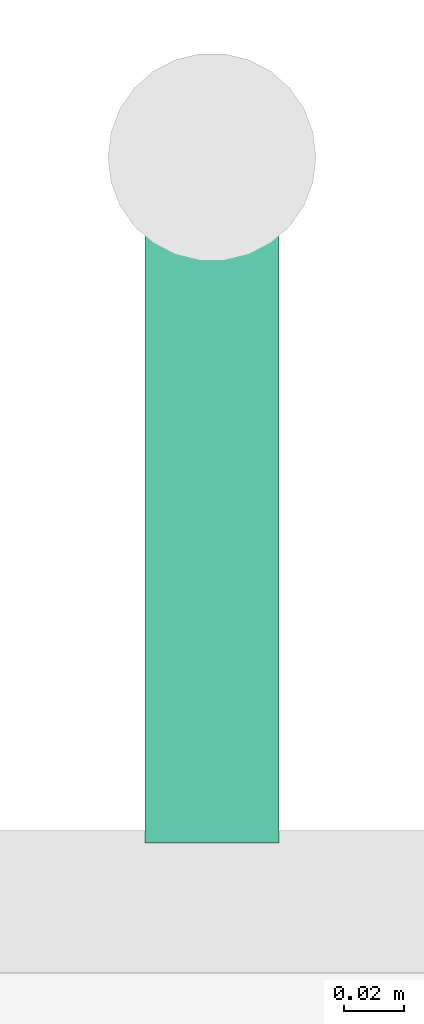
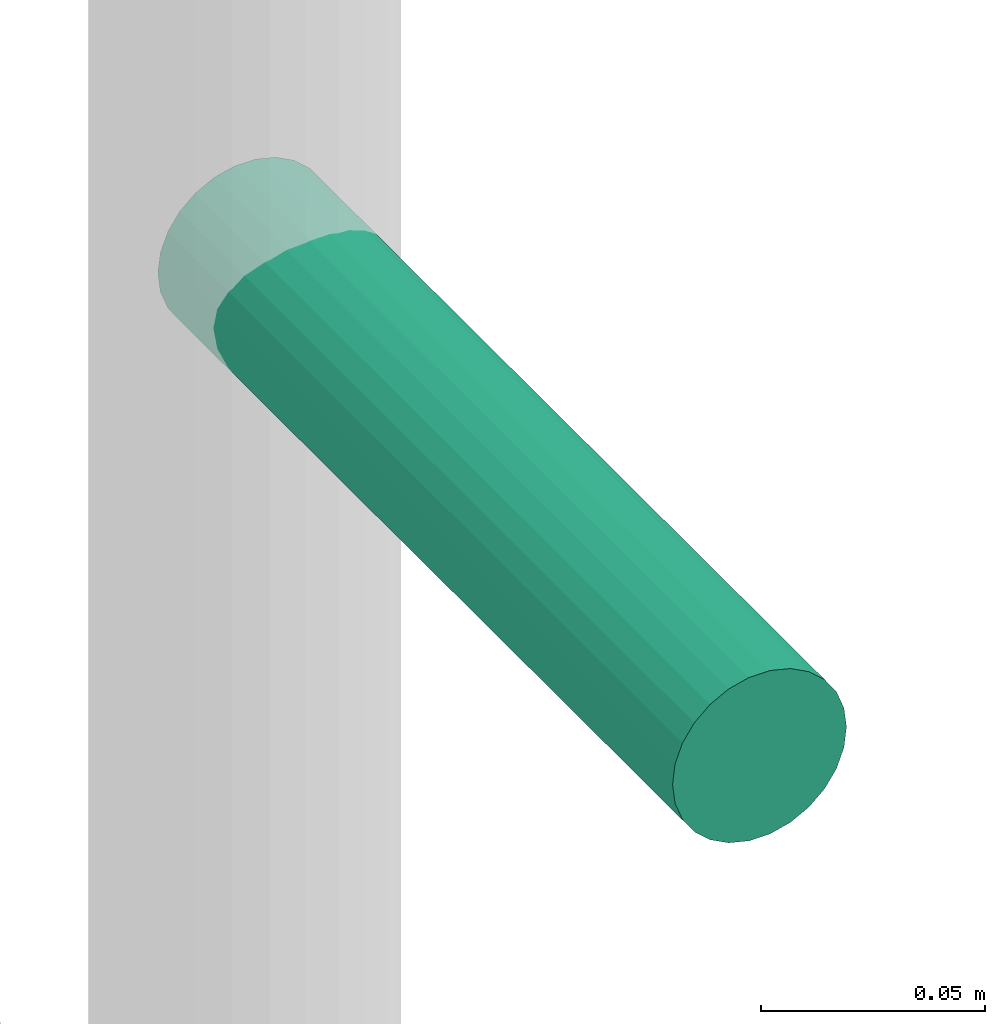
# One storey, part 30 of 31: 1 pipe fitting.
"""IFC4 building model written with IfcOpenShell, lengths in metres."""

from ifc_helpers import new_model, si_unit, direction, frame, origin, origin_2d, place, context, subcontext, project, spatial, circle, extrude, element, save


model = new_model("IFC4")

# Units and contexts
model_context = context("Model", 3, precision=1e-05, world=origin(), true_north=direction((0.0, 1.0)))
body_context = subcontext(model_context, "Body", "Model", "MODEL_VIEW")
ifc_project = project(units=[si_unit("LENGTHUNIT", "METRE"), si_unit("AREAUNIT", "SQUARE_METRE"), si_unit("VOLUMEUNIT", "CUBIC_METRE"), si_unit("PLANEANGLEUNIT", "RADIAN"), si_unit("MASSUNIT", "GRAM", prefix="KILO")], contexts=[model_context])

# Site, building, storey
site_placement = place(None, origin())
site = spatial("IfcSite", under=ifc_project, at=site_placement, CompositionType="ELEMENT")
building_placement = place(site_placement, origin())
building = spatial("IfcBuilding", under=site, at=building_placement, Name="Nzadi Deep Aquarium and Research Tower", CompositionType="ELEMENT")
storey_placement = place(building_placement, frame((0.0, 0.0, 26.699951171875)))
storey = spatial("IfcBuildingStorey", under=building, at=storey_placement, Name="L04", CompositionType="ELEMENT", Elevation=26.699951171875)

# Pipe fitting
pipe_fitting_placement = place(storey_placement, frame((2.300048828125, 116.360107421875, 1.10009765625), z_axis=(0.0, -1.0, 0.0), x_axis=(1.0, 0.0, 0.0)))
element("IfcPipeFitting", 1, at=pipe_fitting_placement, inside=storey, Name="Dry riser outlet ST-Z3-W L04", PredefinedType="EXIT", context=body_context, shape_type="SweptSolid", body=[
    extrude(circle(Radius=0.0224609375, at=origin_2d()), origin(), (0.0, 0.0, 1.0), 0.230224609375),
])

save(model, "model.ifc")
